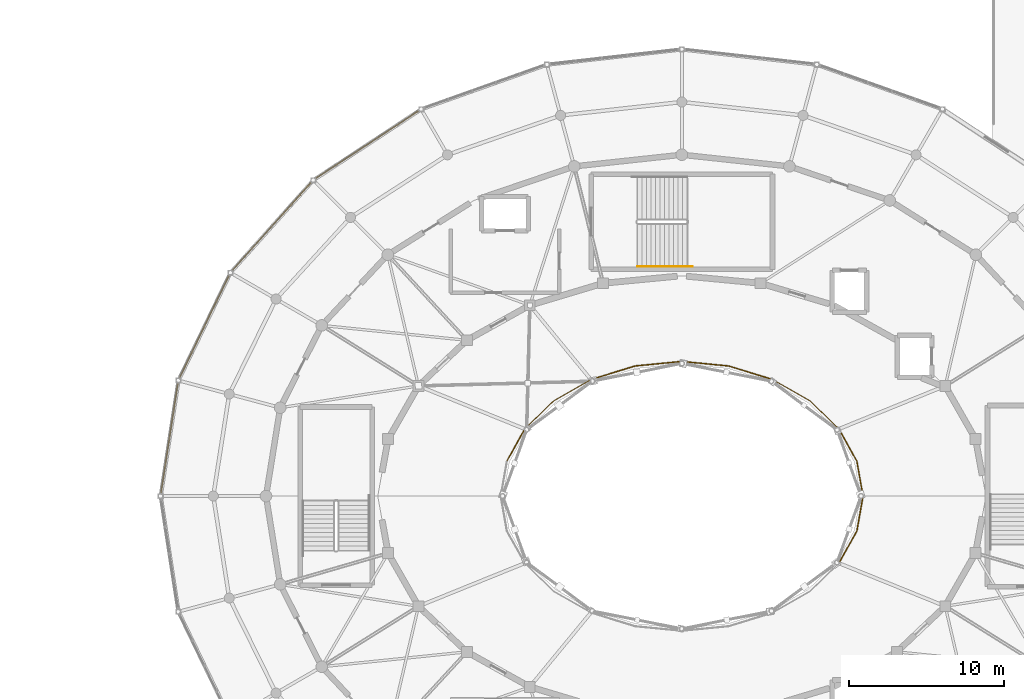
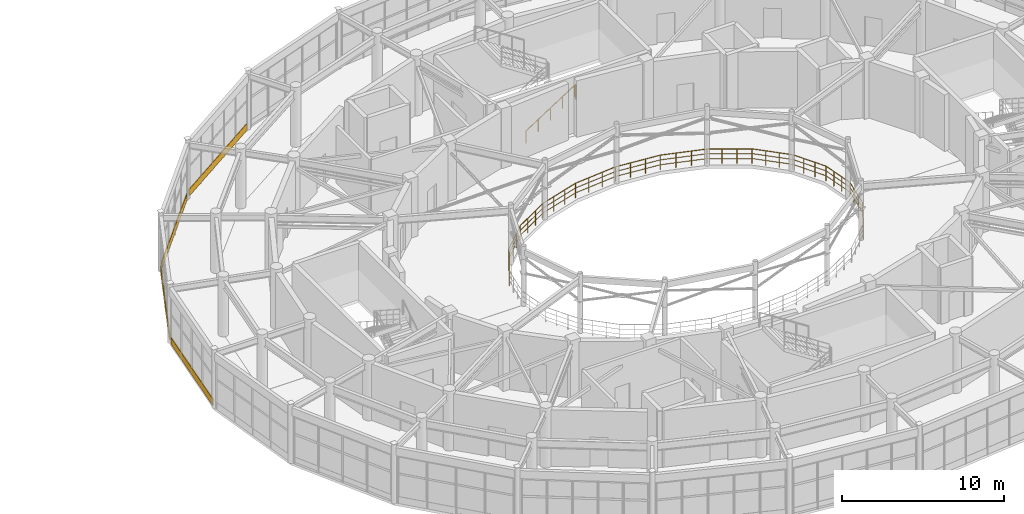
# One storey, part 56 of 60: 14 railings, 4 coverings.
"""IFC4 building model written with IfcOpenShell, lengths in metres."""

from ifc_helpers import new_model, si_unit, direction, frame, origin, origin_2d, place, context, subcontext, project, spatial, rectangle, circle, extrude, material, layer, layer_set, type_object, element, save


model = new_model("IFC4")

# Units and contexts
model_context = context("Model", 3, precision=1e-05, world=origin(), true_north=direction((0.0, 1.0)))
body_context = subcontext(model_context, "Body", "Model", "MODEL_VIEW")
ifc_project = project(units=[si_unit("LENGTHUNIT", "METRE"), si_unit("AREAUNIT", "SQUARE_METRE"), si_unit("VOLUMEUNIT", "CUBIC_METRE"), si_unit("PLANEANGLEUNIT", "RADIAN"), si_unit("MASSUNIT", "GRAM", prefix="KILO")], contexts=[model_context])

# Site, building, storey
site_placement = place(None, origin())
site = spatial("IfcSite", under=ifc_project, at=site_placement, CompositionType="ELEMENT")
building_placement = place(site_placement, origin())
building = spatial("IfcBuilding", under=site, at=building_placement, Name="Cinderbank Siding Concert Hall", CompositionType="ELEMENT")
storey_placement = place(building_placement, frame((0.0, 0.0, 14.699951171875)))
storey = spatial("IfcBuildingStorey", under=building, at=storey_placement, Name="L04", CompositionType="ELEMENT", Elevation=14.699951171875)

# Railings
ifc_material_1 = material(Name="Spotted gum glulam timber GL18 (42 MPa)", Category="wood")
railing_type_1 = type_object("IfcRailingType", Name="BAL-01 Auditorium Tier Balustrade 1120mm", PredefinedType="BALUSTRADE", material=ifc_material_1)
railing_1_placement = place(storey_placement, frame((133.679931640625, 44.0, 0.0)))
element("IfcRailing", 1, at=railing_1_placement, inside=storey, type_object=railing_type_1, Name="L04 Auditorium Circle Balustrade 01", PredefinedType="BALUSTRADE", context=body_context, shape_type="SweptSolid", body=[
    extrude(circle(Radius=0.02392578125, at=origin_2d()), frame((0.0, 0.0, 1.09619140625), z_axis=(-0.174420153546, 0.984671320816, 0.0), x_axis=(-0.984671320816, -0.174420153546, 0.0)), (0.0, 0.0, 1.0), 2.281494140625),
    extrude(circle(Radius=0.01611328125, at=origin_2d()), frame((0.0, 0.0, 0.36962890625), z_axis=(-0.174420153546, 0.984671320816, 0.0), x_axis=(-0.984671320816, -0.174420153546, 0.0)), (0.0, 0.0, 1.0), 2.281494140625),
    extrude(circle(Radius=0.01611328125, at=origin_2d()), frame((0.0, 0.0, 0.7392578125), z_axis=(-0.174420153546, 0.984671320816, 0.0), x_axis=(-0.984671320816, -0.174420153546, 0.0)), (0.0, 0.0, 1.0), 2.281494140625),
    extrude(circle(Radius=0.02099609375, at=origin_2d()), origin(), (0.0, 0.0, 1.0), 1.072021484375),
    extrude(circle(Radius=0.02099609375, at=origin_2d()), frame((-0.132568359375, 0.748779296875, 0.0)), (0.0, 0.0, 1.0), 1.072021484375),
    extrude(circle(Radius=0.02099609375, at=origin_2d()), frame((-0.265380859375, 1.497802734375, 0.0)), (0.0, 0.0, 1.0), 1.072021484375),
    extrude(circle(Radius=0.02099609375, at=origin_2d()), frame((-0.39794921875, 2.24658203125, 0.0)), (0.0, 0.0, 1.0), 1.072021484375),
])
railing_2_placement = place(storey_placement, frame((133.281982421875, 46.24658203125, 0.0)))
element("IfcRailing", 2, at=railing_2_placement, inside=storey, type_object=railing_type_1, Name="L04 Auditorium Circle Balustrade 02", PredefinedType="BALUSTRADE", context=body_context, shape_type="SweptSolid", body=[
    extrude(circle(Radius=0.02392578125, at=origin_2d()), frame((0.0, 0.0, 1.09619140625), z_axis=(-0.486818758281, 0.873503003192, 0.0), x_axis=(-0.873503003192, -0.486818758281, 0.0)), (0.0, 0.0, 1.0), 2.396728515625),
    extrude(circle(Radius=0.01611328125, at=origin_2d()), frame((0.0, 0.0, 0.36962890625), z_axis=(-0.486818758281, 0.873503003192, 0.0), x_axis=(-0.873503003192, -0.486818758281, 0.0)), (0.0, 0.0, 1.0), 2.396728515625),
    extrude(circle(Radius=0.01611328125, at=origin_2d()), frame((0.0, 0.0, 0.7392578125), z_axis=(-0.486818758281, 0.873503003192, 0.0), x_axis=(-0.873503003192, -0.486818758281, 0.0)), (0.0, 0.0, 1.0), 2.396728515625),
    extrude(circle(Radius=0.02099609375, at=origin_2d()), origin(), (0.0, 0.0, 1.0), 1.072021484375),
    extrude(circle(Radius=0.02099609375, at=origin_2d()), frame((-0.388916015625, 0.69775390625, 0.0)), (0.0, 0.0, 1.0), 1.072021484375),
    extrude(circle(Radius=0.02099609375, at=origin_2d()), frame((-0.77783203125, 1.395751953125, 0.0)), (0.0, 0.0, 1.0), 1.072021484375),
    extrude(circle(Radius=0.02099609375, at=origin_2d()), frame((-1.166748046875, 2.093505859375, 0.0)), (0.0, 0.0, 1.0), 1.072021484375),
])
railing_3_placement = place(storey_placement, frame((132.115234375, 48.340087890625, 0.0)))
element("IfcRailing", 3, at=railing_3_placement, inside=storey, type_object=railing_type_1, Name="L04 Auditorium Circle Balustrade 03", PredefinedType="BALUSTRADE", context=body_context, shape_type="SweptSolid", body=[
    extrude(circle(Radius=0.02392578125, at=origin_2d()), frame((0.0, 0.0, 1.09619140625), z_axis=(-0.71835383074, 0.695677923943, 0.0), x_axis=(-0.695677923943, -0.71835383074, 0.0)), (0.0, 0.0, 1.0), 2.583984375),
    extrude(circle(Radius=0.01611328125, at=origin_2d()), frame((0.0, 0.0, 0.36962890625), z_axis=(-0.71835383074, 0.695677923943, 0.0), x_axis=(-0.695677923943, -0.71835383074, 0.0)), (0.0, 0.0, 1.0), 2.583984375),
    extrude(circle(Radius=0.01611328125, at=origin_2d()), frame((0.0, 0.0, 0.7392578125), z_axis=(-0.71835383074, 0.695677923943, 0.0), x_axis=(-0.695677923943, -0.71835383074, 0.0)), (0.0, 0.0, 1.0), 2.583984375),
    extrude(circle(Radius=0.02099609375, at=origin_2d()), origin(), (0.0, 0.0, 1.0), 1.072021484375),
    extrude(circle(Radius=0.02099609375, at=origin_2d()), frame((-0.61865234375, 0.59912109375, 0.0)), (0.0, 0.0, 1.0), 1.072021484375),
    extrude(circle(Radius=0.02099609375, at=origin_2d()), frame((-1.237548828125, 1.198486328125, 0.0)), (0.0, 0.0, 1.0), 1.072021484375),
    extrude(circle(Radius=0.02099609375, at=origin_2d()), frame((-1.856201171875, 1.797607421875, 0.0)), (0.0, 0.0, 1.0), 1.072021484375),
])
railing_4_placement = place(storey_placement, frame((130.259033203125, 50.1376953125, 0.0)))
element("IfcRailing", 4, at=railing_4_placement, inside=storey, type_object=railing_type_1, Name="L04 Auditorium Circle Balustrade 04", PredefinedType="BALUSTRADE", context=body_context, shape_type="SweptSolid", body=[
    extrude(circle(Radius=0.02392578125, at=origin_2d()), frame((0.0, 0.0, 1.09619140625), z_axis=(-0.868685219128, 0.495364502228, 0.0), x_axis=(-0.495364502228, -0.868685219128, 0.0)), (0.0, 0.0, 1.0), 2.78466796875),
    extrude(circle(Radius=0.01611328125, at=origin_2d()), frame((0.0, 0.0, 0.36962890625), z_axis=(-0.868685219128, 0.495364502228, 0.0), x_axis=(-0.495364502228, -0.868685219128, 0.0)), (0.0, 0.0, 1.0), 2.78466796875),
    extrude(circle(Radius=0.01611328125, at=origin_2d()), frame((0.0, 0.0, 0.7392578125), z_axis=(-0.868685219128, 0.495364502228, 0.0), x_axis=(-0.495364502228, -0.868685219128, 0.0)), (0.0, 0.0, 1.0), 2.78466796875),
    extrude(circle(Radius=0.02099609375, at=origin_2d()), origin(), (0.0, 0.0, 1.0), 1.072021484375),
    extrude(circle(Radius=0.02099609375, at=origin_2d()), frame((-0.806396484375, 0.459716796875, 0.0)), (0.0, 0.0, 1.0), 1.072021484375),
    extrude(circle(Radius=0.02099609375, at=origin_2d()), frame((-1.612548828125, 0.919677734375, 0.0)), (0.0, 0.0, 1.0), 1.072021484375),
    extrude(circle(Radius=0.02099609375, at=origin_2d()), frame((-2.4189453125, 1.37939453125, 0.0)), (0.0, 0.0, 1.0), 1.072021484375),
])
railing_5_placement = place(storey_placement, frame((127.840087890625, 51.51708984375, 0.0)))
element("IfcRailing", 5, at=railing_5_placement, inside=storey, type_object=railing_type_1, Name="L04 Auditorium Circle Balustrade 05", PredefinedType="BALUSTRADE", context=body_context, shape_type="SweptSolid", body=[
    extrude(circle(Radius=0.02392578125, at=origin_2d()), frame((0.0, 0.0, 1.09619140625), z_axis=(-0.955743184461, 0.294202252466, 0.0), x_axis=(-0.294202252466, -0.955743184461, 0.0)), (0.0, 0.0, 1.0), 2.947509765625),
    extrude(circle(Radius=0.01611328125, at=origin_2d()), frame((0.0, 0.0, 0.36962890625), z_axis=(-0.955743184461, 0.294202252466, 0.0), x_axis=(-0.294202252466, -0.955743184461, 0.0)), (0.0, 0.0, 1.0), 2.947509765625),
    extrude(circle(Radius=0.01611328125, at=origin_2d()), frame((0.0, 0.0, 0.7392578125), z_axis=(-0.955743184461, 0.294202252466, 0.0), x_axis=(-0.294202252466, -0.955743184461, 0.0)), (0.0, 0.0, 1.0), 2.947509765625),
    extrude(circle(Radius=0.02099609375, at=origin_2d()), origin(), (0.0, 0.0, 1.0), 1.072021484375),
    extrude(circle(Radius=0.02099609375, at=origin_2d()), frame((-0.93896484375, 0.2890625, 0.0)), (0.0, 0.0, 1.0), 1.072021484375),
    extrude(circle(Radius=0.02099609375, at=origin_2d()), frame((-1.878173828125, 0.578125, 0.0)), (0.0, 0.0, 1.0), 1.072021484375),
    extrude(circle(Radius=0.02099609375, at=origin_2d()), frame((-2.817138671875, 0.8671875, 0.0)), (0.0, 0.0, 1.0), 1.072021484375),
])
railing_6_placement = place(storey_placement, frame((125.02294921875, 52.38427734375, 0.0)))
element("IfcRailing", 6, at=railing_6_placement, inside=storey, type_object=railing_type_1, Name="L04 Auditorium Circle Balustrade 06", PredefinedType="BALUSTRADE", context=body_context, shape_type="SweptSolid", body=[
    extrude(circle(Radius=0.02392578125, at=origin_2d()), frame((0.0, 0.0, 1.09619140625), z_axis=(-0.995251301544, 0.097338824598, 0.0), x_axis=(-0.097338824598, -0.995251301544, 0.0)), (0.0, 0.0, 1.0), 3.037353515625),
    extrude(circle(Radius=0.01611328125, at=origin_2d()), frame((0.0, 0.0, 0.36962890625), z_axis=(-0.995251301544, 0.097338824598, 0.0), x_axis=(-0.097338824598, -0.995251301544, 0.0)), (0.0, 0.0, 1.0), 3.037353515625),
    extrude(circle(Radius=0.01611328125, at=origin_2d()), frame((0.0, 0.0, 0.7392578125), z_axis=(-0.995251301544, 0.097338824598, 0.0), x_axis=(-0.097338824598, -0.995251301544, 0.0)), (0.0, 0.0, 1.0), 3.037353515625),
    extrude(circle(Radius=0.02099609375, at=origin_2d()), origin(), (0.0, 0.0, 1.0), 1.072021484375),
    extrude(circle(Radius=0.02099609375, at=origin_2d()), frame((-1.007568359375, 0.0986328125, 0.0)), (0.0, 0.0, 1.0), 1.072021484375),
    extrude(circle(Radius=0.02099609375, at=origin_2d()), frame((-2.015380859375, 0.197021484375, 0.0)), (0.0, 0.0, 1.0), 1.072021484375),
    extrude(circle(Radius=0.02099609375, at=origin_2d()), frame((-3.02294921875, 0.295654296875, 0.0)), (0.0, 0.0, 1.0), 1.072021484375),
])
railing_7_placement = place(storey_placement, frame((122.0, 52.679931640625, 0.0)))
element("IfcRailing", 7, at=railing_7_placement, inside=storey, type_object=railing_type_1, Name="L04 Auditorium Circle Balustrade 07", PredefinedType="BALUSTRADE", context=body_context, shape_type="SweptSolid", body=[
    extrude(circle(Radius=0.02392578125, at=origin_2d()), frame((0.0, 0.0, 1.09619140625), z_axis=(-0.995251301544, -0.097338824598, 0.0), x_axis=(0.097338824598, -0.995251301544, 0.0)), (0.0, 0.0, 1.0), 3.037353515625),
    extrude(circle(Radius=0.01611328125, at=origin_2d()), frame((0.0, 0.0, 0.36962890625), z_axis=(-0.995251301544, -0.097338824598, 0.0), x_axis=(0.097338824598, -0.995251301544, 0.0)), (0.0, 0.0, 1.0), 3.037353515625),
    extrude(circle(Radius=0.01611328125, at=origin_2d()), frame((0.0, 0.0, 0.7392578125), z_axis=(-0.995251301544, -0.097338824598, 0.0), x_axis=(0.097338824598, -0.995251301544, 0.0)), (0.0, 0.0, 1.0), 3.037353515625),
    extrude(circle(Radius=0.02099609375, at=origin_2d()), origin(), (0.0, 0.0, 1.0), 1.072021484375),
    extrude(circle(Radius=0.02099609375, at=origin_2d()), frame((-1.007568359375, -0.0986328125, 0.0)), (0.0, 0.0, 1.0), 1.072021484375),
    extrude(circle(Radius=0.02099609375, at=origin_2d()), frame((-2.015380859375, -0.197021484375, 0.0)), (0.0, 0.0, 1.0), 1.072021484375),
    extrude(circle(Radius=0.02099609375, at=origin_2d()), frame((-3.02294921875, -0.295654296875, 0.0)), (0.0, 0.0, 1.0), 1.072021484375),
])
railing_8_placement = place(storey_placement, frame((118.97705078125, 52.38427734375, 0.0)))
element("IfcRailing", 8, at=railing_8_placement, inside=storey, type_object=railing_type_1, Name="L04 Auditorium Circle Balustrade 08", PredefinedType="BALUSTRADE", context=body_context, shape_type="SweptSolid", body=[
    extrude(circle(Radius=0.02392578125, at=origin_2d()), frame((0.0, 0.0, 1.09619140625), z_axis=(-0.955743184461, -0.294202252466, 0.0), x_axis=(0.294202252466, -0.955743184461, 0.0)), (0.0, 0.0, 1.0), 2.947509765625),
    extrude(circle(Radius=0.01611328125, at=origin_2d()), frame((0.0, 0.0, 0.36962890625), z_axis=(-0.955743184461, -0.294202252466, 0.0), x_axis=(0.294202252466, -0.955743184461, 0.0)), (0.0, 0.0, 1.0), 2.947509765625),
    extrude(circle(Radius=0.01611328125, at=origin_2d()), frame((0.0, 0.0, 0.7392578125), z_axis=(-0.955743184461, -0.294202252466, 0.0), x_axis=(0.294202252466, -0.955743184461, 0.0)), (0.0, 0.0, 1.0), 2.947509765625),
    extrude(circle(Radius=0.02099609375, at=origin_2d()), origin(), (0.0, 0.0, 1.0), 1.072021484375),
    extrude(circle(Radius=0.02099609375, at=origin_2d()), frame((-0.93896484375, -0.2890625, 0.0)), (0.0, 0.0, 1.0), 1.072021484375),
    extrude(circle(Radius=0.02099609375, at=origin_2d()), frame((-1.878173828125, -0.578125, 0.0)), (0.0, 0.0, 1.0), 1.072021484375),
    extrude(circle(Radius=0.02099609375, at=origin_2d()), frame((-2.817138671875, -0.8671875, 0.0)), (0.0, 0.0, 1.0), 1.072021484375),
])
railing_9_placement = place(storey_placement, frame((116.159912109375, 51.51708984375, 0.0)))
element("IfcRailing", 9, at=railing_9_placement, inside=storey, type_object=railing_type_1, Name="L04 Auditorium Circle Balustrade 09", PredefinedType="BALUSTRADE", context=body_context, shape_type="SweptSolid", body=[
    extrude(circle(Radius=0.02392578125, at=origin_2d()), frame((0.0, 0.0, 1.09619140625), z_axis=(-0.868685219128, -0.495364502228, 0.0), x_axis=(0.495364502228, -0.868685219128, 0.0)), (0.0, 0.0, 1.0), 2.78466796875),
    extrude(circle(Radius=0.01611328125, at=origin_2d()), frame((0.0, 0.0, 0.36962890625), z_axis=(-0.868685219128, -0.495364502228, 0.0), x_axis=(0.495364502228, -0.868685219128, 0.0)), (0.0, 0.0, 1.0), 2.78466796875),
    extrude(circle(Radius=0.01611328125, at=origin_2d()), frame((0.0, 0.0, 0.7392578125), z_axis=(-0.868685219128, -0.495364502228, 0.0), x_axis=(0.495364502228, -0.868685219128, 0.0)), (0.0, 0.0, 1.0), 2.78466796875),
    extrude(circle(Radius=0.02099609375, at=origin_2d()), origin(), (0.0, 0.0, 1.0), 1.072021484375),
    extrude(circle(Radius=0.02099609375, at=origin_2d()), frame((-0.806396484375, -0.459716796875, 0.0)), (0.0, 0.0, 1.0), 1.072021484375),
    extrude(circle(Radius=0.02099609375, at=origin_2d()), frame((-1.612548828125, -0.919677734375, 0.0)), (0.0, 0.0, 1.0), 1.072021484375),
    extrude(circle(Radius=0.02099609375, at=origin_2d()), frame((-2.4189453125, -1.37939453125, 0.0)), (0.0, 0.0, 1.0), 1.072021484375),
])
railing_10_placement = place(storey_placement, frame((113.740966796875, 50.1376953125, 0.0)))
element("IfcRailing", 10, at=railing_10_placement, inside=storey, type_object=railing_type_1, Name="L04 Auditorium Circle Balustrade 10", PredefinedType="BALUSTRADE", context=body_context, shape_type="SweptSolid", body=[
    extrude(circle(Radius=0.02392578125, at=origin_2d()), frame((0.0, 0.0, 1.09619140625), z_axis=(-0.71835383074, -0.695677923943, 0.0), x_axis=(0.695677923943, -0.71835383074, 0.0)), (0.0, 0.0, 1.0), 2.583984375),
    extrude(circle(Radius=0.01611328125, at=origin_2d()), frame((0.0, 0.0, 0.36962890625), z_axis=(-0.71835383074, -0.695677923943, 0.0), x_axis=(0.695677923943, -0.71835383074, 0.0)), (0.0, 0.0, 1.0), 2.583984375),
    extrude(circle(Radius=0.01611328125, at=origin_2d()), frame((0.0, 0.0, 0.7392578125), z_axis=(-0.71835383074, -0.695677923943, 0.0), x_axis=(0.695677923943, -0.71835383074, 0.0)), (0.0, 0.0, 1.0), 2.583984375),
    extrude(circle(Radius=0.02099609375, at=origin_2d()), origin(), (0.0, 0.0, 1.0), 1.072021484375),
    extrude(circle(Radius=0.02099609375, at=origin_2d()), frame((-0.61865234375, -0.59912109375, 0.0)), (0.0, 0.0, 1.0), 1.072021484375),
    extrude(circle(Radius=0.02099609375, at=origin_2d()), frame((-1.237548828125, -1.198486328125, 0.0)), (0.0, 0.0, 1.0), 1.072021484375),
    extrude(circle(Radius=0.02099609375, at=origin_2d()), frame((-1.856201171875, -1.797607421875, 0.0)), (0.0, 0.0, 1.0), 1.072021484375),
])
railing_11_placement = place(storey_placement, frame((111.884765625, 48.340087890625, 0.0)))
element("IfcRailing", 11, at=railing_11_placement, inside=storey, type_object=railing_type_1, Name="L04 Auditorium Circle Balustrade 11", PredefinedType="BALUSTRADE", context=body_context, shape_type="SweptSolid", body=[
    extrude(circle(Radius=0.02392578125, at=origin_2d()), frame((0.0, 0.0, 1.09619140625), z_axis=(-0.486818758281, -0.873503003192, 0.0), x_axis=(0.873503003192, -0.486818758281, 0.0)), (0.0, 0.0, 1.0), 2.396728515625),
    extrude(circle(Radius=0.01611328125, at=origin_2d()), frame((0.0, 0.0, 0.36962890625), z_axis=(-0.486818758281, -0.873503003192, 0.0), x_axis=(0.873503003192, -0.486818758281, 0.0)), (0.0, 0.0, 1.0), 2.396728515625),
    extrude(circle(Radius=0.01611328125, at=origin_2d()), frame((0.0, 0.0, 0.7392578125), z_axis=(-0.486818758281, -0.873503003192, 0.0), x_axis=(0.873503003192, -0.486818758281, 0.0)), (0.0, 0.0, 1.0), 2.396728515625),
    extrude(circle(Radius=0.02099609375, at=origin_2d()), origin(), (0.0, 0.0, 1.0), 1.072021484375),
    extrude(circle(Radius=0.02099609375, at=origin_2d()), frame((-0.388916015625, -0.69775390625, 0.0)), (0.0, 0.0, 1.0), 1.072021484375),
    extrude(circle(Radius=0.02099609375, at=origin_2d()), frame((-0.77783203125, -1.395751953125, 0.0)), (0.0, 0.0, 1.0), 1.072021484375),
    extrude(circle(Radius=0.02099609375, at=origin_2d()), frame((-1.166748046875, -2.093505859375, 0.0)), (0.0, 0.0, 1.0), 1.072021484375),
])
railing_12_placement = place(storey_placement, frame((132.115234375, 39.659912109375, 0.0)))
element("IfcRailing", 12, at=railing_12_placement, inside=storey, type_object=railing_type_1, Name="L04 Auditorium Circle Balustrade 23", PredefinedType="BALUSTRADE", context=body_context, shape_type="SweptSolid", body=[
    extrude(circle(Radius=0.02392578125, at=origin_2d()), frame((0.0, 0.0, 1.09619140625), z_axis=(0.486818758281, 0.873503003192, 0.0), x_axis=(-0.873503003192, 0.486818758281, 0.0)), (0.0, 0.0, 1.0), 2.396728515625),
    extrude(circle(Radius=0.01611328125, at=origin_2d()), frame((0.0, 0.0, 0.36962890625), z_axis=(0.486818758281, 0.873503003192, 0.0), x_axis=(-0.873503003192, 0.486818758281, 0.0)), (0.0, 0.0, 1.0), 2.396728515625),
    extrude(circle(Radius=0.01611328125, at=origin_2d()), frame((0.0, 0.0, 0.7392578125), z_axis=(0.486818758281, 0.873503003192, 0.0), x_axis=(-0.873503003192, 0.486818758281, 0.0)), (0.0, 0.0, 1.0), 2.396728515625),
    extrude(circle(Radius=0.02099609375, at=origin_2d()), origin(), (0.0, 0.0, 1.0), 1.072021484375),
    extrude(circle(Radius=0.02099609375, at=origin_2d()), frame((0.388916015625, 0.69775390625, 0.0)), (0.0, 0.0, 1.0), 1.072021484375),
    extrude(circle(Radius=0.02099609375, at=origin_2d()), frame((0.77783203125, 1.395751953125, 0.0)), (0.0, 0.0, 1.0), 1.072021484375),
    extrude(circle(Radius=0.02099609375, at=origin_2d()), frame((1.166748046875, 2.093505859375, 0.0)), (0.0, 0.0, 1.0), 1.072021484375),
])
railing_13_placement = place(storey_placement, frame((133.281982421875, 41.75341796875, 0.0)))
element("IfcRailing", 13, at=railing_13_placement, inside=storey, type_object=railing_type_1, Name="L04 Auditorium Circle Balustrade 24", PredefinedType="BALUSTRADE", context=body_context, shape_type="SweptSolid", body=[
    extrude(circle(Radius=0.02392578125, at=origin_2d()), frame((0.0, 0.0, 1.09619140625), z_axis=(0.174420153546, 0.984671320816, 0.0), x_axis=(-0.984671320816, 0.174420153546, 0.0)), (0.0, 0.0, 1.0), 2.281494140625),
    extrude(circle(Radius=0.01611328125, at=origin_2d()), frame((0.0, 0.0, 0.36962890625), z_axis=(0.174420153546, 0.984671320816, 0.0), x_axis=(-0.984671320816, 0.174420153546, 0.0)), (0.0, 0.0, 1.0), 2.281494140625),
    extrude(circle(Radius=0.01611328125, at=origin_2d()), frame((0.0, 0.0, 0.7392578125), z_axis=(0.174420153546, 0.984671320816, 0.0), x_axis=(-0.984671320816, 0.174420153546, 0.0)), (0.0, 0.0, 1.0), 2.281494140625),
    extrude(circle(Radius=0.02099609375, at=origin_2d()), origin(), (0.0, 0.0, 1.0), 1.072021484375),
    extrude(circle(Radius=0.02099609375, at=origin_2d()), frame((0.132568359375, 0.748779296875, 0.0)), (0.0, 0.0, 1.0), 1.072021484375),
    extrude(circle(Radius=0.02099609375, at=origin_2d()), frame((0.265380859375, 1.497802734375, 0.0)), (0.0, 0.0, 1.0), 1.072021484375),
    extrude(circle(Radius=0.02099609375, at=origin_2d()), frame((0.39794921875, 2.24658203125, 0.0)), (0.0, 0.0, 1.0), 1.072021484375),
])

# Coverings
ifc_layer = layer(ifc_material_1, 0.06494140625)
ifc_layer_set = layer_set([ifc_layer], Name="Spotted gum glulam timber GL18 (42 MPa)")
covering_type = type_object("IfcCoveringType", Name="CL-01 Spotted Gum Spandrel Band 520mm", PredefinedType="CLADDING", material=ifc_layer_set)
covering_1_placement = place(storey_placement, frame((101.720703125, 66.653076171875, 0.0), z_axis=(0.0, 0.0, 1.0), x_axis=(-0.835491932304, -0.549502712509, 0.0)))
element("IfcCovering", 14, at=covering_1_placement, inside=storey, type_object=covering_type, Name="CW-L04-056 Spotted Gum Spandrel Band", PredefinedType="CLADDING", context=body_context, shape_type="SweptSolid", body=[
    extrude(rectangle(XDim=7.875, YDim=0.06494140625, at=origin_2d()), origin(), (0.0, 0.0, 1.0), 0.52001953125),
])
covering_2_placement = place(storey_placement, frame((95.5712890625, 61.38232421875, 0.0), z_axis=(0.0, 0.0, 1.0), x_axis=(-0.666993465338, -0.745063565877, 0.0)))
element("IfcCovering", 15, at=covering_2_placement, inside=storey, type_object=covering_type, Name="CW-L04-057 Spotted Gum Spandrel Band", PredefinedType="CLADDING", context=body_context, shape_type="SweptSolid", body=[
    extrude(rectangle(XDim=7.5517578125, YDim=0.06494140625, at=origin_2d()), origin(), (0.0, 0.0, 1.0), 0.52001953125),
])
covering_3_placement = place(storey_placement, frame((91.22314453125, 54.927001953125, 0.0), z_axis=(0.0, 0.0, 1.0), x_axis=(-0.435102109714, -0.900381116041, 0.0)))
element("IfcCovering", 16, at=covering_3_placement, inside=storey, type_object=covering_type, Name="CW-L04-058 Spotted Gum Spandrel Band", PredefinedType="CLADDING", context=body_context, shape_type="SweptSolid", body=[
    extrude(rectangle(XDim=7.260498046875, YDim=0.06494140625, at=origin_2d()), origin(), (0.0, 0.0, 1.0), 0.52001953125),
])
covering_4_placement = place(storey_placement, frame((88.972412109375, 47.72705078125, 0.0), z_axis=(0.0, 0.0, 1.0), x_axis=(-0.151815048473, -0.988408918949, 0.0)))
element("IfcCovering", 17, at=covering_4_placement, inside=storey, type_object=covering_type, Name="CW-L04-059 Spotted Gum Spandrel Band", PredefinedType="CLADDING", context=body_context, shape_type="SweptSolid", body=[
    extrude(rectangle(XDim=7.08740234375, YDim=0.06494140625, at=origin_2d()), origin(), (0.0, 0.0, 1.0), 0.52001953125),
])

# Railing
ifc_material_2 = material(Name="Structural steel AS/NZS 3679.1 Grade 350 (340 MPa)", Category="steel")
railing_type_2 = type_object("IfcRailingType", Name="STH-01 Stair Pitch Handrail 920mm", PredefinedType="HANDRAIL", material=ifc_material_2)
railing_14_placement = place(storey_placement, frame((119.14990234375, 58.800048828125, 0.1875)))
element("IfcRailing", 18, at=railing_14_placement, inside=storey, type_object=railing_type_2, Name="L04 ST-01 stair handrail 1", PredefinedType="HANDRAIL", context=body_context, shape_type="SweptSolid", body=[
    extrude(circle(Radius=0.02392578125, at=origin_2d()), frame((0.0, 0.0, 0.89599609375), z_axis=(0.839762940478, 0.0, 0.542953224319), x_axis=(0.0, 1.0, 0.0)), (0.0, 0.0, 1.0), 4.14404296875),
    extrude(circle(Radius=0.02392578125, at=origin_2d()), frame((3.47998046875, 0.0, 3.14599609375), z_axis=(1.0, 0.0, 0.0), x_axis=(0.0, 1.0, 0.0)), (0.0, 0.0, 1.0), 0.06005859375),
    extrude(circle(Radius=0.02099609375, at=origin_2d()), origin(), (0.0, 0.0, 1.0), 0.871826171875),
    extrude(circle(Radius=0.02099609375, at=origin_2d()), frame((0.8701171875, 0.0, 0.5625)), (0.0, 0.0, 1.0), 0.871826171875),
    extrude(circle(Radius=0.02099609375, at=origin_2d()), frame((1.739990234375, 0.0, 1.125)), (0.0, 0.0, 1.0), 0.871826171875),
    extrude(circle(Radius=0.02099609375, at=origin_2d()), frame((2.60986328125, 0.0, 1.6875)), (0.0, 0.0, 1.0), 0.871826171875),
    extrude(circle(Radius=0.02099609375, at=origin_2d()), frame((3.47998046875, 0.0, 2.25)), (0.0, 0.0, 1.0), 0.871826171875),
    extrude(circle(Radius=0.02099609375, at=origin_2d()), frame((3.5400390625, 0.0, 2.0625)), (0.0, 0.0, 1.0), 1.059326171875),
])

save(model, "model.ifc")
